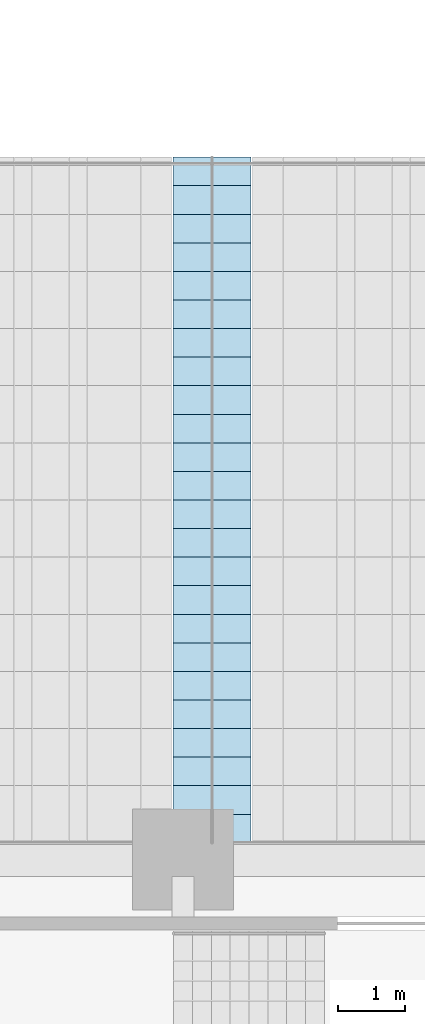
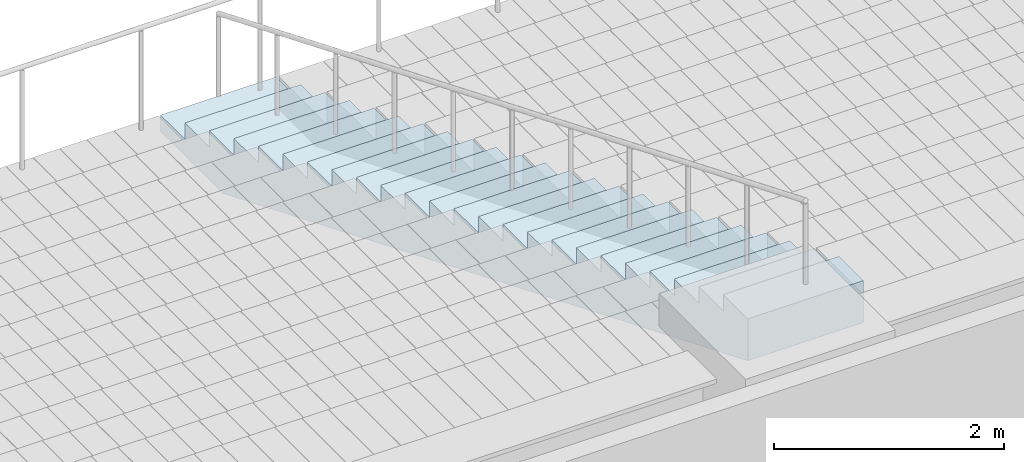
# One storey, part 16 of 61: 1 slab.
"""IFC4 building model written with IfcOpenShell, lengths in metres."""

from ifc_helpers import new_model, si_unit, direction, frame, origin, place, context, subcontext, project, spatial, polyline, outline, extrude, material, layer, layer_set, type_object, element, save


model = new_model("IFC4")

# Units and contexts
model_context = context("Model", 3, precision=1e-05, world=origin(), true_north=direction((0.0, 1.0)))
body_context = subcontext(model_context, "Body", "Model", "MODEL_VIEW")
ifc_project = project(units=[si_unit("LENGTHUNIT", "METRE"), si_unit("AREAUNIT", "SQUARE_METRE"), si_unit("VOLUMEUNIT", "CUBIC_METRE"), si_unit("PLANEANGLEUNIT", "RADIAN"), si_unit("MASSUNIT", "GRAM", prefix="KILO")], contexts=[model_context])

# Site, building, storey
site_placement = place(None, origin())
site = spatial("IfcSite", under=ifc_project, at=site_placement, CompositionType="ELEMENT")
building_placement = place(site_placement, origin())
building = spatial("IfcBuilding", under=site, at=building_placement, Name="Corbelhall Arena Tower", CompositionType="ELEMENT")
storey_placement = place(building_placement, frame((0.0, 0.0, 31.0)))
storey = spatial("IfcBuildingStorey", under=building, at=storey_placement, Name="L04", CompositionType="ELEMENT", Elevation=31.0)

# Slab
ifc_material = material(Name="Precast concrete C40/50", Category="concrete")
ifc_layer = layer(ifc_material, 0.25)
ifc_layer_set = layer_set([ifc_layer], Name="AISLE STEPS (BC 1029)")
slab_type = type_object("IfcSlabType", Name="AISLE STEPS (BC 1029)", PredefinedType="FLOOR", material=ifc_layer_set)
slab_placement = place(storey_placement, frame((-6.320068359375, -18.800048828125, 1.625), z_axis=(0.0, 0.0, 1.0), x_axis=(0.0, -1.0, 0.0)))
element("IfcSlab", 1, at=slab_placement, inside=storey, type_object=slab_type, Name="Aisle steps US-AIS3", PredefinedType="FLOOR", context=body_context, shape_type="SweptSolid", body=[
    extrude(outline(polyline([(0.0, 0.0), (0.0, 0.175048828125), (0.425048828125, 0.175048828125), (0.425048828125, 0.35009765625), (0.85009765625, 0.35009765625), (0.85009765625, 0.52490234375), (1.27490234375, 0.52490234375), (1.27490234375, 0.699951171875), (1.699951171875, 0.699951171875), (1.699951171875, 0.875), (2.125, 0.875), (2.125, 1.050048828125), (2.550048828125, 1.050048828125), (2.550048828125, 1.22509765625), (2.97509765625, 1.22509765625), (2.97509765625, 1.39990234375), (3.39990234375, 1.39990234375), (3.39990234375, 1.574951171875), (3.824951171875, 1.574951171875), (3.824951171875, 1.75), (4.25, 1.75), (4.25, 1.925048828125), (4.675048828125, 1.925048828125), (4.675048828125, 2.10009765625), (5.10009765625, 2.10009765625), (5.10009765625, 2.27490234375), (5.52490234375, 2.27490234375), (5.52490234375, 2.449951171875), (5.949951171875, 2.449951171875), (5.949951171875, 2.625), (6.375, 2.625), (6.375, 2.800048828125), (6.800048828125, 2.800048828125), (6.800048828125, 2.97509765625), (7.22509765625, 2.97509765625), (7.22509765625, 3.14990234375), (7.64990234375, 3.14990234375), (7.64990234375, 3.324951171875), (8.074951171875, 3.324951171875), (8.074951171875, 3.5), (8.5, 3.5), (8.5, 3.675048828125), (8.925048828125, 3.675048828125), (8.925048828125, 3.85009765625), (9.35009765625, 3.85009765625), (9.35009765625, 4.02490234375), (9.77490234375, 4.02490234375), (9.77490234375, 4.199951171875), (10.199951171875, 4.199951171875), (10.199951171875, 4.375), (10.199951171875, 3.754638671875), (1.081787109375, 0.0), (0.0, 0.0)])), frame((0.0, 0.580078125, 0.0), z_axis=(0.0, -1.0, 0.0), x_axis=(1.0, 0.0, 0.0)), (0.0, 0.0, 1.0), 1.159912109375),
])

save(model, "model.ifc")
